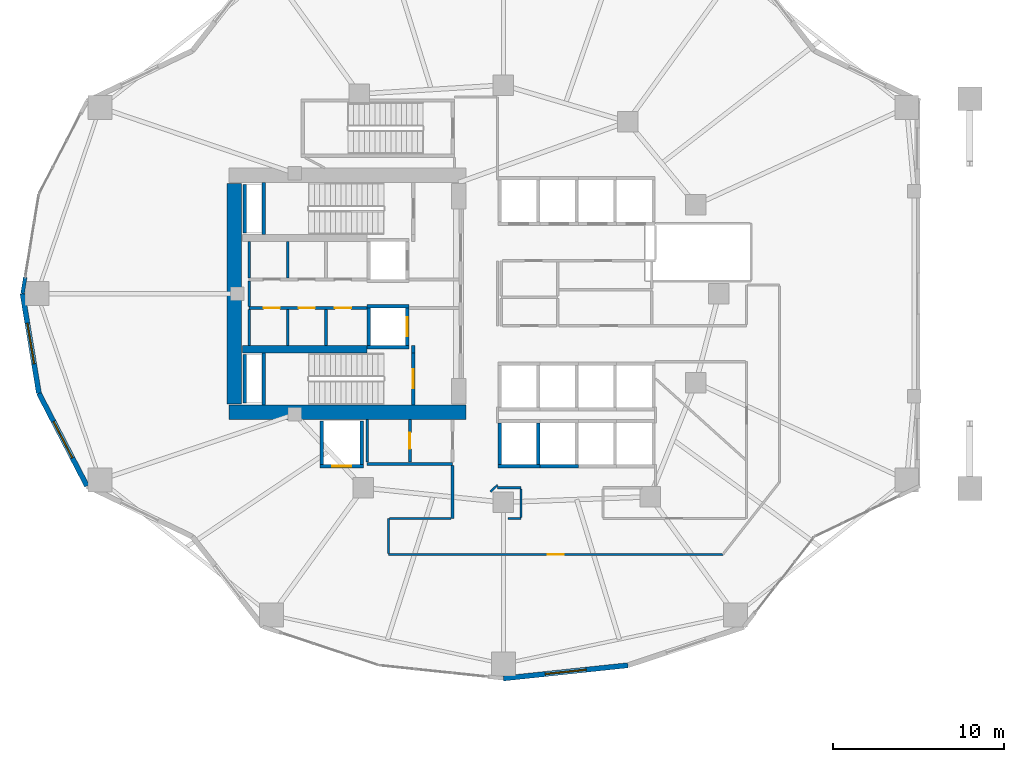
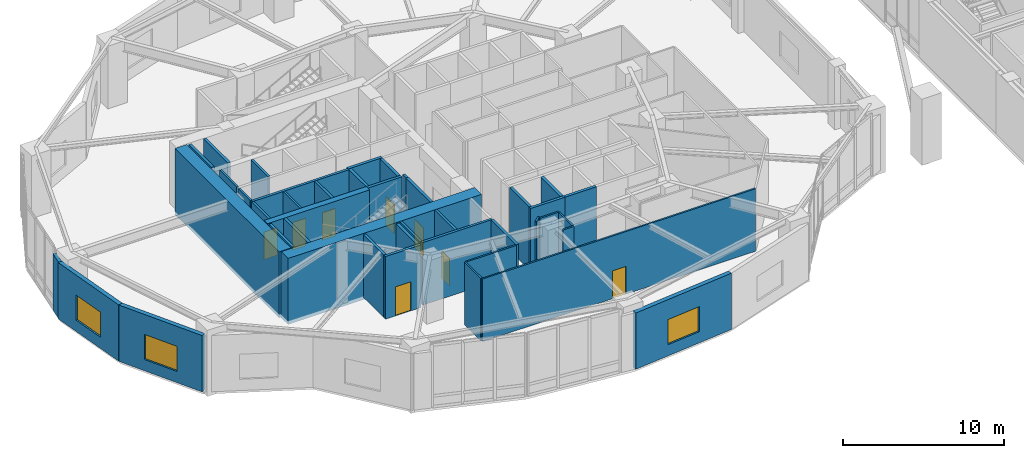
# One storey, part 11 of 21: 42 walls, 8 doors, 3 windows, 11 openings.
"""IFC4 building model written with IfcOpenShell, lengths in metres."""

from ifc_helpers import new_model, si_unit, direction, frame, frame_2d, origin, place, context, subcontext, project, spatial, rectangle, extrude, material, layer, layer_set, type_object, element, fill, save


model = new_model("IFC4")

# Units and contexts
model_context = context("Model", 3, precision=1e-05, world=origin(), true_north=direction((0.0, 1.0)))
body_context = subcontext(model_context, "Body", "Model", "MODEL_VIEW")
ifc_project = project(units=[si_unit("LENGTHUNIT", "METRE"), si_unit("AREAUNIT", "SQUARE_METRE"), si_unit("VOLUMEUNIT", "CUBIC_METRE"), si_unit("PLANEANGLEUNIT", "RADIAN"), si_unit("MASSUNIT", "GRAM", prefix="KILO")], contexts=[model_context])

# Site, building, storey
site_placement = place(None, origin())
site = spatial("IfcSite", under=ifc_project, at=site_placement, CompositionType="ELEMENT")
building_placement = place(site_placement, origin())
building = spatial("IfcBuilding", under=site, at=building_placement, Name="Kolvaren Gate Tower and Convention Centre", CompositionType="ELEMENT")
storey_placement = place(building_placement, frame((0.0, 0.0, 5.0)))
storey = spatial("IfcBuildingStorey", under=building, at=storey_placement, Name="L01", CompositionType="ELEMENT", Elevation=5.0)

# Wall
ifc_material_1 = material(Name="Autoclaved Aerated Masonry Blockwork Class 4 (4.0 MPa)", Category="masonry")
ifc_layer_1 = layer(ifc_material_1, 0.179931640625)
ifc_layer_set_1 = layer_set([ifc_layer_1], Name="Autoclaved Aerated Masonry Blockwork Class 4 (4.0 MPa)")
wall_type_1 = type_object("IfcWallType", Name="ARCH-WL-COMP-180", PredefinedType="SOLIDWALL", material=ifc_layer_set_1)
wall_1_placement = place(storey_placement, frame((24.85009765625, 23.5400390625, 0.0), z_axis=(0.0, 0.0, 1.0), x_axis=(0.0, 1.0, 0.0)))
element("IfcWall", 1, at=wall_1_placement, inside=storey, type_object=wall_type_1, Name="Interior Partition WL-L01-INT-001", PredefinedType="SOLIDWALL", context=body_context, shape_type="SweptSolid", body=[
    extrude(rectangle(XDim=0.419921875, YDim=0.179931640625, at=frame_2d((0.2099609375, 0.0))), origin(), (0.0, 0.0, 1.0), 4.739990234375),
])

# Wall, openings, doors
wall_2_placement = place(storey_placement, frame((15.25, 26.159912109375, 0.0), z_axis=(0.0, 0.0, 1.0), x_axis=(1.0, 0.0, 0.0)))
wall_2 = element("IfcWall", 2, at=wall_2_placement, inside=storey, type_object=wall_type_1, Name="Interior Partition WL-L01-INT-005", PredefinedType="SOLIDWALL", context=body_context, shape_type="SweptSolid", body=[
    extrude(rectangle(XDim=6.89990234375, YDim=0.179931640625, at=frame_2d((3.449951171875, 0.0))), origin(), (0.0, 0.0, 1.0), 4.739990234375),
])
opening_1_placement = place(wall_2_placement, frame((5.02001953125, 0.0, 0.0)))
opening_1 = element("IfcOpeningElement", 3, at=opening_1_placement, cuts=wall_2, Name="Opening DR-01", PredefinedType="OPENING", context=body_context, shape_type="SweptSolid", body=[
    extrude(rectangle(XDim=0.949951171875, YDim=2.10009765625, at=frame_2d((0.47509765625, 1.050048828125))), frame((0.0, 0.099853515625, 0.0), z_axis=(0.0, -1.0, 0.0), x_axis=(1.0, 0.0, 0.0)), (0.0, 0.0, 1.0), 0.199951171875),
])
opening_2_placement = place(wall_2_placement, frame((0.85498046875, 0.0, 0.0)))
opening_2 = element("IfcOpeningElement", 4, at=opening_2_placement, cuts=wall_2, Name="Opening DR-01", PredefinedType="OPENING", context=body_context, shape_type="SweptSolid", body=[
    extrude(rectangle(XDim=0.949951171875, YDim=2.10009765625, at=frame_2d((0.47509765625, 1.050048828125))), frame((0.0, 0.099853515625, 0.0), z_axis=(0.0, -1.0, 0.0), x_axis=(1.0, 0.0, 0.0)), (0.0, 0.0, 1.0), 0.199951171875),
])
opening_3_placement = place(wall_2_placement, frame((2.89990234375, 0.0, 0.0)))
opening_3 = element("IfcOpeningElement", 5, at=opening_3_placement, cuts=wall_2, Name="Opening DR-01", PredefinedType="OPENING", context=body_context, shape_type="SweptSolid", body=[
    extrude(rectangle(XDim=0.949951171875, YDim=2.10009765625, at=frame_2d((0.47509765625, 1.050048828125))), frame((0.0, 0.099853515625, 0.0), z_axis=(0.0, -1.0, 0.0), x_axis=(1.0, 0.0, 0.0)), (0.0, 0.0, 1.0), 0.199951171875),
])
ifc_material_2 = material(Name="Painted Architectural Steelwork ASTM A500 Grade C 345 MPa", Category="steel")
door_type_1 = type_object("IfcDoorType", Name="ARCH-DR-RISER-950", OperationType="SINGLE_SWING_RIGHT", PredefinedType="DOOR", material=ifc_material_2)
door_1_placement = place(opening_1_placement, origin())
door_1 = element("IfcDoor", 6, at=door_1_placement, inside=storey, type_object=door_type_1, Name="Domestic Water Meter Closet Door", OperationType="SINGLE_SWING_RIGHT", OverallHeight=2.10009765625, OverallWidth=0.949951171875, PredefinedType="DOOR", context=body_context, shape_type="SweptSolid", body=[
    extrude(rectangle(XDim=0.949951171875, YDim=2.10009765625, at=frame_2d((0.47509765625, 1.050048828125))), frame((0.0, 0.02490234375, 0.0), z_axis=(0.0, -1.0, 0.0), x_axis=(1.0, 0.0, 0.0)), (0.0, 0.0, 1.0), 0.050048828125),
])
fill(opening_1, door_1)
door_2_placement = place(opening_2_placement, origin())
door_2 = element("IfcDoor", 7, at=door_2_placement, inside=storey, type_object=door_type_1, Name="Beverage Service Pantry Door", OperationType="SINGLE_SWING_LEFT", OverallHeight=2.10009765625, OverallWidth=0.949951171875, PredefinedType="DOOR", context=body_context, shape_type="SweptSolid", body=[
    extrude(rectangle(XDim=0.949951171875, YDim=2.10009765625, at=frame_2d((0.47509765625, 1.050048828125))), frame((0.0, 0.02490234375, 0.0), z_axis=(0.0, -1.0, 0.0), x_axis=(1.0, 0.0, 0.0)), (0.0, 0.0, 1.0), 0.050048828125),
])
fill(opening_2, door_2)
door_3_placement = place(opening_3_placement, origin())
door_3 = element("IfcDoor", 8, at=door_3_placement, inside=storey, type_object=door_type_1, Name="Archive Supply Closet Door", OperationType="SINGLE_SWING_RIGHT", OverallHeight=2.10009765625, OverallWidth=0.949951171875, PredefinedType="DOOR", context=body_context, shape_type="SweptSolid", body=[
    extrude(rectangle(XDim=0.949951171875, YDim=2.10009765625, at=frame_2d((0.47509765625, 1.050048828125))), frame((0.0, 0.02490234375, 0.0), z_axis=(0.0, -1.0, 0.0), x_axis=(1.0, 0.0, 0.0)), (0.0, 0.0, 1.0), 0.050048828125),
])
fill(opening_3, door_3)

# Walls
wall_3_placement = place(storey_placement, frame((19.75, 23.9619140625, 0.0), z_axis=(0.0, 0.0, 1.0), x_axis=(0.0, 1.0, 0.0)))
element("IfcWall", 9, at=wall_3_placement, inside=storey, type_object=wall_type_1, Name="Interior Partition WL-L01-INT-007", PredefinedType="SOLIDWALL", context=body_context, shape_type="SweptSolid", body=[
    extrude(rectangle(XDim=2.106201171875, YDim=0.179931640625, at=frame_2d((1.05322265625, 0.0))), origin(), (0.0, 0.0, 1.0), 4.739990234375),
])
wall_4_placement = place(storey_placement, frame((22.14990234375, 17.050048828125, 0.0), z_axis=(0.0, 0.0, 1.0), x_axis=(1.0, 0.0, 0.0)))
element("IfcWall", 10, at=wall_4_placement, inside=storey, type_object=wall_type_1, Name="Interior Partition WL-L01-INT-011", PredefinedType="SOLIDWALL", context=body_context, shape_type="SweptSolid", body=[
    extrude(rectangle(XDim=5.0, YDim=0.179931640625, at=frame_2d((2.5, 0.0))), origin(), (0.0, 0.0, 1.0), 4.739990234375),
])

# Wall, opening, door
wall_5_placement = place(storey_placement, frame((24.64990234375, 17.14208984375, 0.0), z_axis=(0.0, 0.0, 1.0), x_axis=(0.0, 1.0, 0.0)))
wall_5 = element("IfcWall", 11, at=wall_5_placement, inside=storey, type_object=wall_type_1, Name="Interior Partition WL-L01-INT-013", PredefinedType="SOLIDWALL", context=body_context, shape_type="SweptSolid", body=[
    extrude(rectangle(XDim=2.505859375, YDim=0.179931640625, at=frame_2d((1.2529296875, 0.0))), origin(), (0.0, 0.0, 1.0), 4.739990234375),
])
opening_4_placement = place(wall_5_placement, frame((0.778076171875, 0.0, 0.0)))
opening_4 = element("IfcOpeningElement", 12, at=opening_4_placement, cuts=wall_5, Name="Opening DR-01", PredefinedType="OPENING", context=body_context, shape_type="SweptSolid", body=[
    extrude(rectangle(XDim=0.949951171875, YDim=2.10009765625, at=frame_2d((0.47509765625, 1.050048828125))), frame((0.0, 0.099853515625, 0.0), z_axis=(0.0, -1.0, 0.0), x_axis=(1.0, 0.0, 0.0)), (0.0, 0.0, 1.0), 0.199951171875),
])
door_4_placement = place(opening_4_placement, origin())
door_4 = element("IfcDoor", 13, at=door_4_placement, inside=storey, type_object=door_type_1, Name="West Valet Store Door", OperationType="SINGLE_SWING_RIGHT", OverallHeight=2.10009765625, OverallWidth=0.949951171875, PredefinedType="DOOR", context=body_context, shape_type="SweptSolid", body=[
    extrude(rectangle(XDim=0.949951171875, YDim=2.10009765625, at=frame_2d((0.47509765625, 1.050048828125))), frame((0.0, 0.02490234375, 0.0), z_axis=(0.0, -1.0, 0.0), x_axis=(1.0, 0.0, 0.0)), (0.0, 0.0, 1.0), 0.050048828125),
])
fill(opening_4, door_4)

# Wall
wall_6_placement = place(storey_placement, frame((27.14990234375, 13.85009765625, 0.0), z_axis=(0.0, 0.0, 1.0), x_axis=(0.0, 1.0, 0.0)))
element("IfcWall", 14, at=wall_6_placement, inside=storey, type_object=wall_type_1, Name="Interior Partition WL-L01-INT-014", PredefinedType="SOLIDWALL", context=body_context, shape_type="SweptSolid", body=[
    extrude(rectangle(XDim=3.10791015625, YDim=0.179931640625, at=frame_2d((1.553955078125, 0.0))), origin(), (0.0, 0.0, 1.0), 4.739990234375),
])

# Wall, opening, door
ifc_material_3 = material(Name="Fire-Rated Acoustic Gypsum Stud Partition", Category="gypsum")
ifc_layer_2 = layer(ifc_material_3, 0.1201171875)
ifc_layer_set_2 = layer_set([ifc_layer_2], Name="Fire-Rated Acoustic Gypsum Stud Partition")
wall_type_2 = type_object("IfcWallType", Name="ARCH-WL-PART-120", PredefinedType="PARTITIONING", material=ifc_layer_set_2)
wall_7_placement = place(storey_placement, frame((23.39990234375, 11.75, 0.0), z_axis=(0.0, 0.0, 1.0), x_axis=(1.0, 0.0, 0.0)))
wall_7 = element("IfcWall", 15, at=wall_7_placement, inside=storey, type_object=wall_type_2, Name="Interior Partition WL-L01-INT-032", PredefinedType="PARTITIONING", context=body_context, shape_type="SweptSolid", body=[
    extrude(rectangle(XDim=19.55712890625, YDim=0.1201171875, at=frame_2d((9.778564453125, 0.0))), origin(), (0.0, 0.0, 1.0), 4.739990234375),
])
opening_5_placement = place(wall_7_placement, frame((9.303466796875, 0.0, 0.0)))
opening_5 = element("IfcOpeningElement", 16, at=opening_5_placement, cuts=wall_7, Name="Opening DR-01", PredefinedType="OPENING", context=body_context, shape_type="SweptSolid", body=[
    extrude(rectangle(XDim=0.949951171875, YDim=2.10009765625, at=frame_2d((0.47509765625, 1.050048828125))), frame((0.0, 0.070068359375, 0.0), z_axis=(0.0, -1.0, 0.0), x_axis=(1.0, 0.0, 0.0)), (0.0, 0.0, 1.0), 0.14013671875),
])
door_5_placement = place(opening_5_placement, origin())
door_5 = element("IfcDoor", 17, at=door_5_placement, inside=storey, type_object=door_type_1, Name="Retail Mezzanine Boutique Door", OperationType="SINGLE_SWING_RIGHT", OverallHeight=2.10009765625, OverallWidth=0.949951171875, PredefinedType="DOOR", context=body_context, shape_type="SweptSolid", body=[
    extrude(rectangle(XDim=0.949951171875, YDim=2.10009765625, at=frame_2d((0.47509765625, 1.050048828125))), frame((0.0, 0.02490234375, 0.0), z_axis=(0.0, -1.0, 0.0), x_axis=(1.0, 0.0, 0.0)), (0.0, 0.0, 1.0), 0.050048828125),
])
fill(opening_5, door_5)

# Walls
wall_8_placement = place(storey_placement, frame((23.39990234375, 11.81201171875, 0.0), z_axis=(0.0, 0.0, 1.0), x_axis=(0.0, 1.0, 0.0)))
element("IfcWall", 18, at=wall_8_placement, inside=storey, type_object=wall_type_2, Name="Interior Partition WL-L01-INT-033", PredefinedType="PARTITIONING", context=body_context, shape_type="SweptSolid", body=[
    extrude(rectangle(XDim=2.0380859375, YDim=0.1201171875, at=frame_2d((1.01904296875, 0.0))), origin(), (0.0, 0.0, 1.0), 4.739990234375),
])
wall_9_placement = place(storey_placement, frame((23.4619140625, 13.85009765625, 0.0), z_axis=(0.0, 0.0, 1.0), x_axis=(1.0, 0.0, 0.0)))
element("IfcWall", 19, at=wall_9_placement, inside=storey, type_object=wall_type_2, Name="Interior Partition WL-L01-INT-034", PredefinedType="PARTITIONING", context=body_context, shape_type="SweptSolid", body=[
    extrude(rectangle(XDim=3.59619140625, YDim=0.1201171875, at=frame_2d((1.798095703125, 0.0))), origin(), (0.0, 0.0, 1.0), 4.739990234375),
])
wall_10_placement = place(storey_placement, frame((30.39111328125, 13.85009765625, 0.0), z_axis=(0.0, 0.0, 1.0), x_axis=(1.0, 0.0, 0.0)))
element("IfcWall", 20, at=wall_10_placement, inside=storey, type_object=wall_type_2, Name="Interior Partition WL-L01-INT-035", PredefinedType="PARTITIONING", context=body_context, shape_type="SweptSolid", body=[
    extrude(rectangle(XDim=0.7587890625, YDim=0.1201171875, at=frame_2d((0.37939453125, 0.0))), origin(), (0.0, 0.0, 1.0), 4.739990234375),
])
wall_11_placement = place(storey_placement, frame((29.780029296875, 15.64990234375, 0.0), z_axis=(0.0, 0.0, 1.0), x_axis=(1.0, 0.0, 0.0)))
element("IfcWall", 21, at=wall_11_placement, inside=storey, type_object=wall_type_2, Name="Interior Partition WL-L01-INT-039", PredefinedType="PARTITIONING", context=body_context, shape_type="SweptSolid", body=[
    extrude(rectangle(XDim=1.369873046875, YDim=0.1201171875, at=frame_2d((0.68505859375, 0.0))), origin(), (0.0, 0.0, 1.0), 4.739990234375),
])
wall_12_placement = place(storey_placement, frame((29.366943359375, 15.422119140625, 0.0), z_axis=(0.0, 0.0, 1.0), x_axis=(0.730667420492, 0.682733564893, 0.0)))
element("IfcWall", 22, at=wall_12_placement, inside=storey, type_object=wall_type_2, Name="Interior Partition WL-L01-INT-043", PredefinedType="PARTITIONING", context=body_context, shape_type="SweptSolid", body=[
    extrude(rectangle(XDim=0.5654296875, YDim=0.1201171875, at=frame_2d((0.28271484375, 0.0))), origin(), (0.0, 0.0, 1.0), 4.739990234375),
])
wall_13_placement = place(storey_placement, frame((31.14990234375, 13.912109375, 0.0), z_axis=(0.0, 0.0, 1.0), x_axis=(0.0, 1.0, 0.0)))
element("IfcWall", 23, at=wall_13_placement, inside=storey, type_object=wall_type_2, Name="Interior Partition WL-L01-INT-044", PredefinedType="PARTITIONING", context=body_context, shape_type="SweptSolid", body=[
    extrude(rectangle(XDim=1.67578125, YDim=0.1201171875, at=frame_2d((0.837890625, 0.0))), origin(), (0.0, 0.0, 1.0), 4.739990234375),
])
ifc_material_4 = material(Name="Bogota Sabana Bush-Hammered Sandstone Cladding", Category="masonry")
ifc_layer_3 = layer(ifc_material_4, 0.219970703125)
ifc_layer_set_3 = layer_set([ifc_layer_3], Name="Bogota Sabana Bush-Hammered Sandstone Cladding")
wall_type_3 = type_object("IfcWallType", Name="ARCH-WL-PIER-220", PredefinedType="SOLIDWALL", material=ifc_layer_set_3)
wall_14_placement = place(storey_placement, frame((2.0, 27.0, 0.0), z_axis=(0.0, 0.0, 1.0), x_axis=(0.162253212939, 0.986749154999, 0.0)))
element("IfcWall", 24, at=wall_14_placement, inside=storey, type_object=wall_type_3, Name="Tower L01 Unitised Curtain Wall CW-POD-GLZ Bay 11 Left Column Pier Wrap", PredefinedType="SOLIDWALL", context=body_context, shape_type="SweptSolid", body=[
    extrude(rectangle(XDim=0.97802734375, YDim=0.219970703125, at=frame_2d((0.489013671875, 0.0))), origin(), (0.0, 0.0, 1.0), 4.262939453125),
])
ifc_layer_4 = layer(ifc_material_1, 0.199951171875)
ifc_layer_set_4 = layer_set([ifc_layer_4], Name="Autoclaved Aerated Masonry Blockwork Class 4 (4.0 MPa)")
wall_type_4 = type_object("IfcWallType", Name="ARCH-WL-SHAFT-200", PredefinedType="SOLIDWALL", material=ifc_layer_set_4)
for number, where, z_axis, x_axis, name in (
    (25, (22.14990234375, 26.260009765625, 0.0), (0.0, 0.0, 1.0), (1.0, 0.0, 0.0), "Elevator FF-02 L01 Fire Shaft Wall N"),
    (26, (22.14990234375, 23.860107421875, 0.0), (0.0, 0.0, 1.0), (1.0, 0.0, 0.0), "Elevator FF-02 L01 Fire Shaft Wall S"),
):
    element("IfcWall", number, at=place(storey_placement, frame(where, z_axis=z_axis, x_axis=x_axis)), inside=storey, type_object=wall_type_4, Name=name, PredefinedType="SOLIDWALL", context=body_context, shape_type="SweptSolid", body=[
        extrude(rectangle(XDim=2.4501953125, YDim=0.199951171875, at=frame_2d((1.22509765625, 0.0))), origin(), (0.0, 0.0, 1.0), 4.739990234375),
    ])
wall_15_placement = place(storey_placement, frame((22.25, 23.969970703125, 0.0), z_axis=(0.0, 0.0, 1.0), x_axis=(0.0, 1.0, 0.0)))
element("IfcWall", 27, at=wall_15_placement, inside=storey, type_object=wall_type_4, Name="Elevator FF-02 L01 Fire Shaft Wall W", PredefinedType="SOLIDWALL", context=body_context, shape_type="SweptSolid", body=[
    extrude(rectangle(XDim=2.179931640625, YDim=0.199951171875, at=frame_2d((1.08984375, 0.0))), origin(), (0.0, 0.0, 1.0), 4.739990234375),
])

# Wall, opening, door
wall_16_placement = place(storey_placement, frame((24.5, 23.969970703125, 0.0), z_axis=(0.0, 0.0, 1.0), x_axis=(0.0, 1.0, 0.0)))
wall_16 = element("IfcWall", 28, at=wall_16_placement, inside=storey, type_object=wall_type_4, Name="Elevator FF-02 L01 Fire Shaft Wall E", PredefinedType="SOLIDWALL", context=body_context, shape_type="SweptSolid", body=[
    extrude(rectangle(XDim=2.179931640625, YDim=0.199951171875, at=frame_2d((1.08984375, 0.0))), origin(), (0.0, 0.0, 1.0), 4.739990234375),
])
opening_6_placement = place(wall_16_placement, frame((0.5400390625, 0.0, 0.0)))
opening_6 = element("IfcOpeningElement", 29, at=opening_6_placement, cuts=wall_16, Name="Opening LD", PredefinedType="OPENING", context=body_context, shape_type="SweptSolid", body=[
    extrude(rectangle(XDim=1.10009765625, YDim=2.199951171875, at=frame_2d((0.550048828125, 1.10009765625))), frame((0.0, 0.10986328125, 0.0), z_axis=(0.0, -1.0, 0.0), x_axis=(1.0, 0.0, 0.0)), (0.0, 0.0, 1.0), 0.219970703125),
])
ifc_material_5 = material(Name="Brushed Stainless Steel Grade 316L", Category="steel")
door_type_2 = type_object("IfcDoorType", Name="ARCH-DR-LIFT-1100", OperationType="SLIDING_TO_LEFT", PredefinedType="DOOR", material=ifc_material_5)
door_6_placement = place(opening_6_placement, origin())
door_6 = element("IfcDoor", 30, at=door_6_placement, inside=storey, type_object=door_type_2, Name="Elevator FF-02 L01 Sliding Landing Door", OperationType="SLIDING_TO_LEFT", OverallHeight=2.199951171875, OverallWidth=1.10009765625, PredefinedType="DOOR", context=body_context, shape_type="SweptSolid", body=[
    extrude(rectangle(XDim=1.10009765625, YDim=2.199951171875, at=frame_2d((0.550048828125, 1.10009765625))), frame((0.0, 0.02490234375, 0.0), z_axis=(0.0, -1.0, 0.0), x_axis=(1.0, 0.0, 0.0)), (0.0, 0.0, 1.0), 0.050048828125),
])
fill(opening_6, door_6)

wall_17_placement = place(storey_placement, frame((19.39990234375, 16.89990234375, 0.0), z_axis=(0.0, 0.0, 1.0), x_axis=(1.0, 0.0, 0.0)))
wall_17 = element("IfcWall", 31, at=wall_17_placement, inside=storey, type_object=wall_type_4, Name="Elevator SV-01 L01 Fire Shaft Wall S", PredefinedType="SOLIDWALL", context=body_context, shape_type="SweptSolid", body=[
    extrude(rectangle(XDim=2.550048828125, YDim=0.199951171875, at=frame_2d((1.27490234375, 0.0))), origin(), (0.0, 0.0, 1.0), 4.739990234375),
])
opening_7_placement = place(wall_17_placement, frame((0.72509765625, 0.0, 0.0)))
opening_7 = element("IfcOpeningElement", 32, at=opening_7_placement, cuts=wall_17, Name="Opening LD", PredefinedType="OPENING", context=body_context, shape_type="SweptSolid", body=[
    extrude(rectangle(XDim=1.10009765625, YDim=2.199951171875, at=frame_2d((0.550048828125, 1.10009765625))), frame((0.0, 0.10986328125, 0.0), z_axis=(0.0, -1.0, 0.0), x_axis=(1.0, 0.0, 0.0)), (0.0, 0.0, 1.0), 0.219970703125),
])
door_7_placement = place(opening_7_placement, origin())
door_7 = element("IfcDoor", 33, at=door_7_placement, inside=storey, type_object=door_type_2, Name="Elevator SV-01 L01 Sliding Landing Door", OperationType="SLIDING_TO_LEFT", OverallHeight=2.199951171875, OverallWidth=1.10009765625, PredefinedType="DOOR", context=body_context, shape_type="SweptSolid", body=[
    extrude(rectangle(XDim=1.10009765625, YDim=2.199951171875, at=frame_2d((0.550048828125, 1.10009765625))), frame((0.0, 0.02490234375, 0.0), z_axis=(0.0, -1.0, 0.0), x_axis=(1.0, 0.0, 0.0)), (0.0, 0.0, 1.0), 0.050048828125),
])
fill(opening_7, door_7)

# Walls
for number, where, z_axis, x_axis, name in (
    (34, (19.5, 17.010009765625, 0.0), (0.0, 0.0, 1.0), (0.0, 1.0, 0.0), "Elevator SV-01 L01 Fire Shaft Wall W"),
    (35, (21.85009765625, 17.010009765625, 0.0), (0.0, 0.0, 1.0), (0.0, 1.0, 0.0), "Elevator SV-01 L01 Fire Shaft Wall E"),
):
    element("IfcWall", number, at=place(storey_placement, frame(where, z_axis=z_axis, x_axis=x_axis)), inside=storey, type_object=wall_type_4, Name=name, PredefinedType="SOLIDWALL", context=body_context, shape_type="SweptSolid", body=[
        extrude(rectangle(XDim=2.530029296875, YDim=0.199951171875, at=frame_2d((1.26513671875, 0.0))), origin(), (0.0, 0.0, 1.0), 4.739990234375),
    ])
wall_18_placement = place(storey_placement, frame((29.800048828125, 16.89990234375, 0.0), z_axis=(0.0, 0.0, 1.0), x_axis=(1.0, 0.0, 0.0)))
element("IfcWall", 36, at=wall_18_placement, inside=storey, type_object=wall_type_4, Name="Elevator PL-05 L01 Fire Shaft Wall S", PredefinedType="SOLIDWALL", context=body_context, shape_type="SweptSolid", body=[
    extrude(rectangle(XDim=2.449951171875, YDim=0.199951171875, at=frame_2d((1.22509765625, 0.0))), origin(), (0.0, 0.0, 1.0), 4.739990234375),
])
for number, where, z_axis, x_axis, name in (
    (37, (29.89990234375, 17.010009765625, 0.0), (0.0, 0.0, 1.0), (0.0, 1.0, 0.0), "Elevator PL-05 L01 Fire Shaft Wall W"),
    (38, (32.14990234375, 17.010009765625, 0.0), (0.0, 0.0, 1.0), (0.0, 1.0, 0.0), "Elevator PL-05 L01 Fire Shaft Wall E"),
):
    element("IfcWall", number, at=place(storey_placement, frame(where, z_axis=z_axis, x_axis=x_axis)), inside=storey, type_object=wall_type_4, Name=name, PredefinedType="SOLIDWALL", context=body_context, shape_type="SweptSolid", body=[
        extrude(rectangle(XDim=2.429931640625, YDim=0.199951171875, at=frame_2d((1.21484375, 0.0))), origin(), (0.0, 0.0, 1.0), 4.739990234375),
    ])
wall_19_placement = place(storey_placement, frame((32.25, 16.89990234375, 0.0), z_axis=(0.0, 0.0, 1.0), x_axis=(1.0, 0.0, 0.0)))
element("IfcWall", 39, at=wall_19_placement, inside=storey, type_object=wall_type_4, Name="Elevator PL-06 L01 Fire Shaft Wall S", PredefinedType="SOLIDWALL", context=body_context, shape_type="SweptSolid", body=[
    extrude(rectangle(XDim=2.25, YDim=0.199951171875, at=frame_2d((1.125, 0.0))), origin(), (0.0, 0.0, 1.0), 4.739990234375),
])
for number, where, z_axis, x_axis, name in (
    (40, (14.989990234375, 30.550048828125, 0.0), (0.0, 0.0, 1.0), (0.0, 1.0, 0.0), "Vertical Shaft HVR L01 EI-120 Enclosure Wall W"),
    (41, (14.989990234375, 20.60009765625, 0.0), (0.0, 0.0, 1.0), (0.0, 1.0, 0.0), "Vertical Shaft MPR L01 EI-120 Enclosure Wall W"),
):
    element("IfcWall", number, at=place(storey_placement, frame(where, z_axis=z_axis, x_axis=x_axis)), inside=storey, type_object=wall_type_4, Name=name, PredefinedType="SOLIDWALL", context=body_context, shape_type="SweptSolid", body=[
        extrude(rectangle(XDim=2.849853515625, YDim=0.199951171875, at=frame_2d((1.4248046875, 0.0))), origin(), (0.0, 0.0, 1.0), 4.739990234375),
    ])

# Wall, opening, window
ifc_material_6 = material(Name="Piedmont Cream Honed Limestone Cladding", Category="masonry")
ifc_layer_5 = layer(ifc_material_6, 0.300048828125)
ifc_layer_set_5 = layer_set([ifc_layer_5], Name="Piedmont Cream Honed Limestone Cladding")
wall_type_5 = type_object("IfcWallType", Name="ARCH-WL-STONE-300", PredefinedType="SOLIDWALL", material=ifc_layer_set_5)
wall_20_placement = place(storey_placement, frame((2.0, 27.0, 0.0), z_axis=(0.0, 0.0, 1.0), x_axis=(0.162366057843, -0.98673059305, 0.0)))
wall_20 = element("IfcWall", 42, at=wall_20_placement, inside=storey, type_object=wall_type_5, Name="Tower L01 Honed Stone Spandrel Wall EW-12", PredefinedType="SOLIDWALL", context=body_context, shape_type="SweptSolid", body=[
    extrude(rectangle(XDim=5.90185546875, YDim=0.300048828125, at=frame_2d((2.950927734375, 0.0))), origin(), (0.0, 0.0, 1.0), 4.262939453125),
])
opening_8_placement = place(wall_20_placement, frame((1.7509765625, 0.0, 0.85009765625)))
opening_8 = element("IfcOpeningElement", 43, at=opening_8_placement, cuts=wall_20, Name="Opening W-01", PredefinedType="OPENING", context=body_context, shape_type="SweptSolid", body=[
    extrude(rectangle(XDim=2.39990234375, YDim=1.89990234375, at=frame_2d((1.199951171875, 0.949951171875))), frame((0.0, 0.159912109375, 0.0), z_axis=(0.0, -1.0, 0.0), x_axis=(1.0, 0.0, 0.0)), (0.0, 0.0, 1.0), 0.320068359375),
])
ifc_material_7 = material(Name="Low-E Triple Insulated Glazing Unit 44 mm", Category="glass")
window_type = type_object("IfcWindowType", Name="ARCH-WN-OFF-2400", PartitioningType="SINGLE_PANEL", PredefinedType="WINDOW", material=ifc_material_7)
window_1_placement = place(opening_8_placement, origin())
window_1 = element("IfcWindow", 44, at=window_1_placement, inside=storey, type_object=window_type, Name="Tower L01 Punched Stone Facade Window W-12", OverallHeight=1.89990234375, OverallWidth=2.39990234375, PartitioningType="SINGLE_PANEL", PredefinedType="WINDOW", context=body_context, shape_type="SweptSolid", body=[
    extrude(rectangle(XDim=2.39990234375, YDim=1.89990234375, at=frame_2d((1.199951171875, 0.949951171875))), frame((0.0, 0.030029296875, 0.0), z_axis=(0.0, -1.0, 0.0), x_axis=(1.0, 0.0, 0.0)), (0.0, 0.0, 1.0), 0.06005859375),
])
fill(opening_8, window_1)

wall_21_placement = place(storey_placement, frame((2.958251953125, 21.176513671875, 0.0), z_axis=(0.0, 0.0, 1.0), x_axis=(0.459809804413, -0.88801742312, 0.0)))
wall_21 = element("IfcWall", 45, at=wall_21_placement, inside=storey, type_object=wall_type_5, Name="Tower L01 Honed Stone Spandrel Wall EW-13", PredefinedType="SOLIDWALL", context=body_context, shape_type="SweptSolid", body=[
    extrude(rectangle(XDim=6.11083984375, YDim=0.300048828125, at=frame_2d((3.055419921875, 0.0))), origin(), (0.0, 0.0, 1.0), 4.262939453125),
])
opening_9_placement = place(wall_21_placement, frame((1.85498046875, 0.0, 0.85009765625)))
opening_9 = element("IfcOpeningElement", 46, at=opening_9_placement, cuts=wall_21, Name="Opening W-01", PredefinedType="OPENING", context=body_context, shape_type="SweptSolid", body=[
    extrude(rectangle(XDim=2.39990234375, YDim=1.89990234375, at=frame_2d((1.199951171875, 0.949951171875))), frame((0.0, 0.159912109375, 0.0), z_axis=(0.0, -1.0, 0.0), x_axis=(1.0, 0.0, 0.0)), (0.0, 0.0, 1.0), 0.320068359375),
])
window_2_placement = place(opening_9_placement, origin())
window_2 = element("IfcWindow", 47, at=window_2_placement, inside=storey, type_object=window_type, Name="Tower L01 Punched Stone Facade Window W-13", OverallHeight=1.89990234375, OverallWidth=2.39990234375, PartitioningType="SINGLE_PANEL", PredefinedType="WINDOW", context=body_context, shape_type="SweptSolid", body=[
    extrude(rectangle(XDim=2.39990234375, YDim=1.89990234375, at=frame_2d((1.199951171875, 0.949951171875))), frame((0.0, 0.030029296875, 0.0), z_axis=(0.0, -1.0, 0.0), x_axis=(1.0, 0.0, 0.0)), (0.0, 0.0, 1.0), 0.06005859375),
])
fill(opening_9, window_2)

wall_22_placement = place(storey_placement, frame((30.125, 4.5, 0.0), z_axis=(0.0, 0.0, 1.0), x_axis=(0.994500334317, 0.104733399844, 0.0)))
wall_22 = element("IfcWall", 48, at=wall_22_placement, inside=storey, type_object=wall_type_5, Name="Tower L01 Honed Stone Spandrel Wall EW-18", PredefinedType="SOLIDWALL", context=body_context, shape_type="SweptSolid", body=[
    extrude(rectangle(XDim=7.319580078125, YDim=0.300048828125, at=frame_2d((3.65966796875, 0.0))), origin(), (0.0, 0.0, 1.0), 4.262939453125),
])
opening_10_placement = place(wall_22_placement, frame((2.4599609375, 0.0, 0.85009765625)))
opening_10 = element("IfcOpeningElement", 49, at=opening_10_placement, cuts=wall_22, Name="Opening W-01", PredefinedType="OPENING", context=body_context, shape_type="SweptSolid", body=[
    extrude(rectangle(XDim=2.39990234375, YDim=1.89990234375, at=frame_2d((1.199951171875, 0.949951171875))), frame((0.0, 0.159912109375, 0.0), z_axis=(0.0, -1.0, 0.0), x_axis=(1.0, 0.0, 0.0)), (0.0, 0.0, 1.0), 0.320068359375),
])
window_3_placement = place(opening_10_placement, origin())
window_3 = element("IfcWindow", 50, at=window_3_placement, inside=storey, type_object=window_type, Name="Tower L01 Punched Stone Facade Window W-18", OverallHeight=1.89990234375, OverallWidth=2.39990234375, PartitioningType="SINGLE_PANEL", PredefinedType="WINDOW", context=body_context, shape_type="SweptSolid", body=[
    extrude(rectangle(XDim=2.39990234375, YDim=1.89990234375, at=frame_2d((1.199951171875, 0.949951171875))), frame((0.0, 0.030029296875, 0.0), z_axis=(0.0, -1.0, 0.0), x_axis=(1.0, 0.0, 0.0)), (0.0, 0.0, 1.0), 0.06005859375),
])
fill(opening_10, window_3)

# Walls
ifc_material_8 = material(Name="Moisture-Resistant Cement-Board Acoustic Partition", Category="gypsum")
ifc_layer_6 = layer(ifc_material_8, 0.14990234375)
ifc_layer_set_6 = layer_set([ifc_layer_6], Name="Moisture-Resistant Cement-Board Acoustic Partition")
wall_type_6 = type_object("IfcWallType", Name="ARCH-WL-WET-150", PredefinedType="PARTITIONING", material=ifc_layer_set_6)
wall_23_placement = place(storey_placement, frame((15.25, 23.9619140625, 0.0), z_axis=(0.0, 0.0, 1.0), x_axis=(0.0, 1.0, 0.0)))
element("IfcWall", 51, at=wall_23_placement, inside=storey, type_object=wall_type_6, Name="Interior Partition WL-L01-INT-006", PredefinedType="PARTITIONING", context=body_context, shape_type="SweptSolid", body=[
    extrude(rectangle(XDim=2.106201171875, YDim=0.14990234375, at=frame_2d((1.05322265625, 0.0))), origin(), (0.0, 0.0, 1.0), 4.739990234375),
])
wall_24_placement = place(storey_placement, frame((15.25, 26.251953125, 0.0), z_axis=(0.0, 0.0, 1.0), x_axis=(0.0, 1.0, 0.0)))
element("IfcWall", 52, at=wall_24_placement, inside=storey, type_object=wall_type_6, Name="Interior Partition WL-L01-INT-006 (2)", PredefinedType="PARTITIONING", context=body_context, shape_type="SweptSolid", body=[
    extrude(rectangle(XDim=1.49609375, YDim=0.14990234375, at=frame_2d((0.748046875, 0.0))), origin(), (0.0, 0.0, 1.0), 4.739990234375),
])
for number, where, z_axis, x_axis, name in (
    (53, (15.25, 27.931884765625, 0.0), (0.0, 0.0, 1.0), (0.0, 1.0, 0.0), "Interior Partition WL-L01-INT-006 (3)"),
    (54, (17.5, 23.9619140625, 0.0), (0.0, 0.0, 1.0), (0.0, 1.0, 0.0), "Interior Partition WL-L01-INT-009"),
    (55, (17.5, 27.931884765625, 0.0), (0.0, 0.0, 1.0), (0.0, 1.0, 0.0), "Interior Partition WL-L01-INT-010"),
):
    element("IfcWall", number, at=place(storey_placement, frame(where, z_axis=z_axis, x_axis=x_axis)), inside=storey, type_object=wall_type_6, Name=name, PredefinedType="PARTITIONING", context=body_context, shape_type="SweptSolid", body=[
        extrude(rectangle(XDim=2.106201171875, YDim=0.14990234375, at=frame_2d((1.05322265625, 0.0))), origin(), (0.0, 0.0, 1.0), 4.739990234375),
    ])
wall_25_placement = place(storey_placement, frame((22.14990234375, 17.14208984375, 0.0), z_axis=(0.0, 0.0, 1.0), x_axis=(0.0, 1.0, 0.0)))
element("IfcWall", 56, at=wall_25_placement, inside=storey, type_object=wall_type_6, Name="Interior Partition WL-L01-INT-012", PredefinedType="PARTITIONING", context=body_context, shape_type="SweptSolid", body=[
    extrude(rectangle(XDim=2.505859375, YDim=0.14990234375, at=frame_2d((1.2529296875, 0.0))), origin(), (0.0, 0.0, 1.0), 4.739990234375),
])
ifc_material_9 = material(Name="Concrete C50/60", Category="concrete")
ifc_layer_7 = layer(ifc_material_9, 0.419921875)
ifc_layer_set_7 = layer_set([ifc_layer_7], Name="Concrete C50/60")
wall_type_7 = type_object("IfcWallType", Name="STR-WL-CONV-420", PredefinedType="SHEAR", material=ifc_layer_set_7)
wall_26_placement = place(storey_placement, frame((14.85009765625, 23.75, -0.260009765625), z_axis=(0.0, 0.0, 1.0), x_axis=(1.0, 0.0, 0.0)))
element("IfcWall", 57, at=wall_26_placement, inside=storey, type_object=wall_type_7, Name="Tower L01 Offset Core Shear Wall WS", PredefinedType="SHEAR", context=body_context, shape_type="SweptSolid", body=[
    extrude(rectangle(XDim=7.2998046875, YDim=0.419921875, at=frame_2d((3.64990234375, 0.0))), origin(), (0.0, 0.0, 1.0), 5.0),
])
ifc_material_10 = material(Name="Concrete C70/85", Category="concrete")
ifc_layer_8 = layer(ifc_material_10, 0.85009765625)
ifc_layer_set_8 = layer_set([ifc_layer_8], Name="Concrete C70/85")
wall_type_8 = type_object("IfcWallType", Name="STR-WL-CORE-850", PredefinedType="SHEAR", material=ifc_layer_set_8)
wall_27_placement = place(storey_placement, frame((14.074951171875, 20.074951171875, -0.260009765625), z_axis=(0.0, 0.0, 1.0), x_axis=(1.0, 0.0, 0.0)))
element("IfcWall", 58, at=wall_27_placement, inside=storey, type_object=wall_type_8, Name="Tower L01 Offset Core Shear Wall S", PredefinedType="SHEAR", context=body_context, shape_type="SweptSolid", body=[
    extrude(rectangle(XDim=13.85009765625, YDim=0.85009765625, at=frame_2d((6.925048828125, 0.0))), origin(), (0.0, 0.0, 1.0), 5.0),
])
wall_28_placement = place(storey_placement, frame((14.375, 20.550048828125, -0.260009765625), z_axis=(0.0, 0.0, 1.0), x_axis=(0.0, 1.0, 0.0)))
element("IfcWall", 59, at=wall_28_placement, inside=storey, type_object=wall_type_8, Name="Tower L01 Offset Core Shear Wall W", PredefinedType="SHEAR", context=body_context, shape_type="SweptSolid", body=[
    extrude(rectangle(XDim=12.89990234375, YDim=0.85009765625, at=frame_2d((6.449951171875, 0.0))), origin(), (0.0, 0.0, 1.0), 5.0),
])
ifc_layer_9 = layer(ifc_material_9, 0.199951171875)
ifc_layer_set_9 = layer_set([ifc_layer_9], Name="Concrete C50/60")
wall_type_9 = type_object("IfcWallType", Name="STR-WL-SHAFT-200", PredefinedType="SHEAR", material=ifc_layer_set_9)
wall_29_placement = place(storey_placement, frame((16.10009765625, 30.4619140625, -0.260009765625), z_axis=(0.0, 0.0, 1.0), x_axis=(0.0, 1.0, 0.0)))
element("IfcWall", 60, at=wall_29_placement, inside=storey, type_object=wall_type_9, Name="Tower North Exit Stair ST-T1 L01 Structural Shear Enclosure Wall FAR", PredefinedType="SHEAR", context=body_context, shape_type="SweptSolid", body=[
    extrude(rectangle(XDim=3.0361328125, YDim=0.199951171875, at=frame_2d((1.51806640625, 0.0))), origin(), (0.0, 0.0, 1.0), 5.0),
])

# Wall, opening, door
wall_30_placement = place(storey_placement, frame((24.85009765625, 20.501953125, -0.260009765625), z_axis=(0.0, 0.0, 1.0), x_axis=(0.0, 1.0, 0.0)))
wall_30 = element("IfcWall", 61, at=wall_30_placement, inside=storey, type_object=wall_type_9, Name="Tower South Exit Stair ST-T2 L01 Structural Shear Enclosure Wall NEAR", PredefinedType="SHEAR", context=body_context, shape_type="SweptSolid", body=[
    extrude(rectangle(XDim=3.0380859375, YDim=0.199951171875, at=frame_2d((1.51904296875, 0.0))), origin(), (0.0, 0.0, 1.0), 5.0),
])
opening_11_placement = place(wall_30_placement, frame((0.968994140625, 0.0, 0.260009765625)))
opening_11 = element("IfcOpeningElement", 62, at=opening_11_placement, cuts=wall_30, Name="Opening DS-01", PredefinedType="OPENING", context=body_context, shape_type="SweptSolid", body=[
    extrude(rectangle(XDim=1.10009765625, YDim=2.14990234375, at=frame_2d((0.550048828125, 1.074951171875))), frame((0.0, 0.10986328125, 0.0), z_axis=(0.0, -1.0, 0.0), x_axis=(1.0, 0.0, 0.0)), (0.0, 0.0, 1.0), 0.219970703125),
])
door_type_3 = type_object("IfcDoorType", Name="ARCH-DR-STAIR-1100", OperationType="SINGLE_SWING_LEFT", PredefinedType="DOOR", material=ifc_material_2)
door_8_placement = place(opening_11_placement, origin())
door_8 = element("IfcDoor", 63, at=door_8_placement, inside=storey, type_object=door_type_3, Name="Tower South Exit Stair ST-T2 L01 Fire Exit Stair Door", OperationType="SINGLE_SWING_LEFT", OverallHeight=2.14990234375, OverallWidth=1.10009765625, PredefinedType="DOOR", context=body_context, shape_type="SweptSolid", body=[
    extrude(rectangle(XDim=1.10009765625, YDim=2.14990234375, at=frame_2d((0.550048828125, 1.074951171875))), frame((0.0, 0.02490234375, 0.0), z_axis=(0.0, -1.0, 0.0), x_axis=(1.0, 0.0, 0.0)), (0.0, 0.0, 1.0), 0.050048828125),
])
fill(opening_11, door_8)

# Wall
wall_31_placement = place(storey_placement, frame((16.10009765625, 20.501953125, -0.260009765625), z_axis=(0.0, 0.0, 1.0), x_axis=(0.0, 1.0, 0.0)))
element("IfcWall", 64, at=wall_31_placement, inside=storey, type_object=wall_type_9, Name="Tower South Exit Stair ST-T2 L01 Structural Shear Enclosure Wall FAR", PredefinedType="SHEAR", context=body_context, shape_type="SweptSolid", body=[
    extrude(rectangle(XDim=3.0361328125, YDim=0.199951171875, at=frame_2d((1.51806640625, 0.0))), origin(), (0.0, 0.0, 1.0), 5.0),
])

save(model, "model.ifc")
